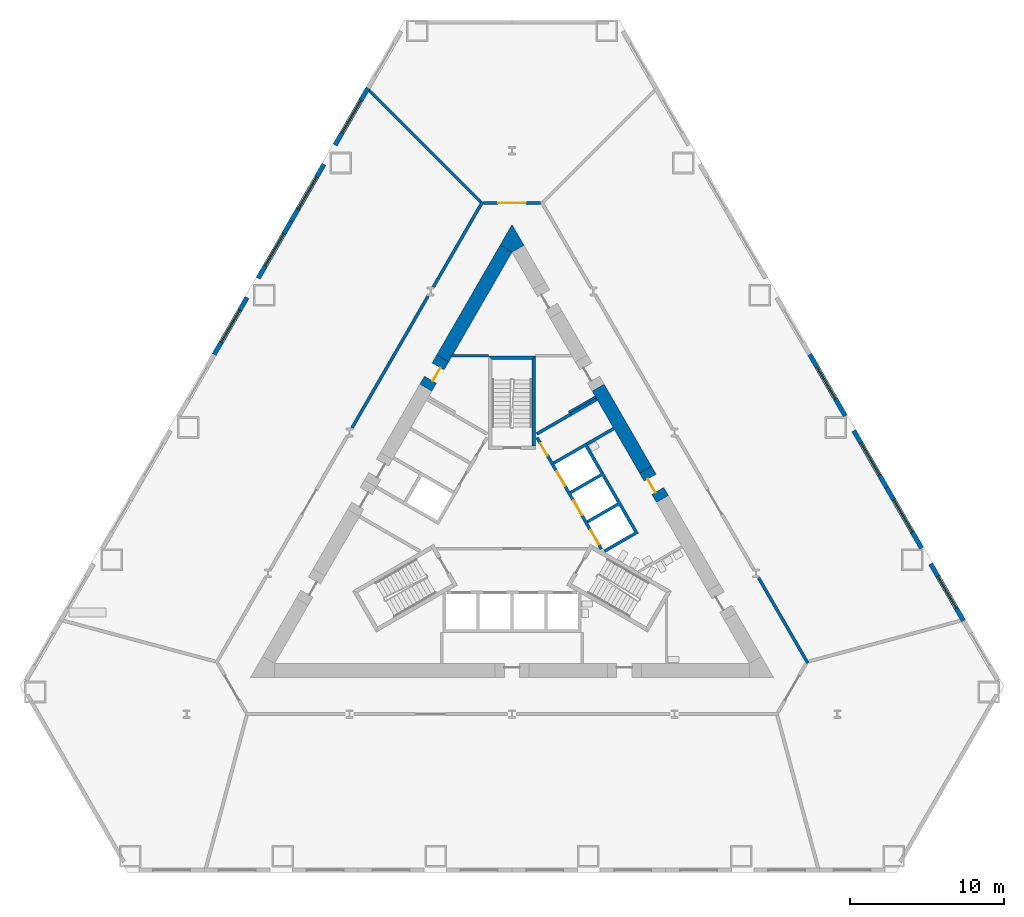
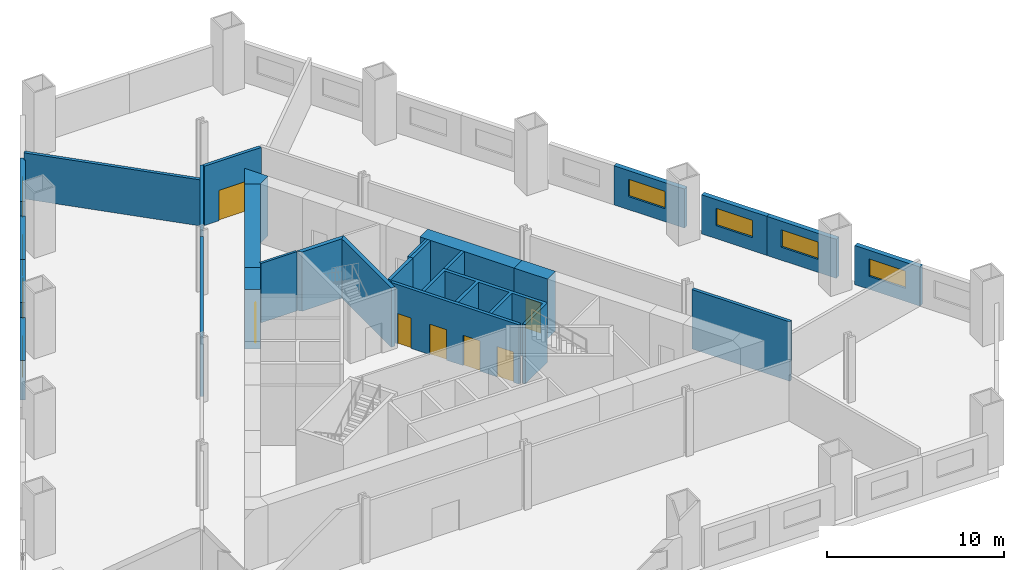
# One storey, part 4 of 8: 27 walls, 8 windows, 7 doors, 15 openings.
"""IFC4 building model written with IfcOpenShell, lengths in metres."""

from ifc_helpers import new_model, si_unit, direction, frame, frame_2d, origin, place, context, subcontext, project, spatial, polyline, rectangle, outline, extrude, material, layer, layer_set, type_object, element, fill, save


model = new_model("IFC4")

# Units and contexts
model_context = context("Model", 3, precision=1e-05, world=origin(), true_north=direction((0.0, 1.0)))
body_context = subcontext(model_context, "Body", "Model", "MODEL_VIEW")
ifc_project = project(units=[si_unit("LENGTHUNIT", "METRE"), si_unit("AREAUNIT", "SQUARE_METRE"), si_unit("VOLUMEUNIT", "CUBIC_METRE"), si_unit("PLANEANGLEUNIT", "RADIAN"), si_unit("MASSUNIT", "GRAM", prefix="KILO")], contexts=[model_context])

# Site, building, storey
site_placement = place(None, origin())
site = spatial("IfcSite", under=ifc_project, at=site_placement, CompositionType="ELEMENT")
building_placement = place(site_placement, origin())
building = spatial("IfcBuilding", under=site, at=building_placement, Name="Cormorant Prow Tower", CompositionType="ELEMENT")
storey_placement = place(building_placement, frame((0.0, 0.0, 25.5)))
storey = spatial("IfcBuildingStorey", under=building, at=storey_placement, Name="L04", CompositionType="ELEMENT", Elevation=25.5)

# Walls
ifc_material_1 = material(Name="Gypsum board partition")
ifc_layer_1 = layer(ifc_material_1, 0.14990234375)
ifc_layer_set_1 = layer_set([ifc_layer_1], Name="Gypsum board partition")
wall_type_1 = type_object("IfcWallType", Name="Core partition 150", PredefinedType="PARTITIONING", material=ifc_layer_set_1)
wall_1_placement = place(storey_placement, frame((3.693359375, 7.4150390625, 0.0), z_axis=(0.0, 0.0, 1.0), x_axis=(0.866035824272, 0.499981950752, 0.0)))
element("IfcWall", 1, at=wall_1_placement, inside=storey, type_object=wall_type_1, Name="Service room partition", PredefinedType="PARTITIONING", context=body_context, shape_type="SweptSolid", body=[
    extrude(rectangle(XDim=2.0087890625, YDim=0.14990234375, at=frame_2d((1.00439453125, 0.0))), origin(), (0.0, 0.0, 1.0), 4.10009765625),
])
wall_2_placement = place(storey_placement, frame((-1.5439453125, 11.0869140625, 0.0), z_axis=(0.0, 0.0, 1.0), x_axis=(-1.0, 0.0, 0.0)))
element("IfcWall", 2, at=wall_2_placement, inside=storey, type_object=wall_type_1, Name="Service room partition", PredefinedType="PARTITIONING", context=body_context, shape_type="SweptSolid", body=[
    extrude(rectangle(XDim=2.349365234375, YDim=0.14990234375, at=frame_2d((1.1748046875, 0.0))), origin(), (0.0, 0.0, 1.0), 4.10009765625),
])
ifc_material_2 = material(Name="Concrete 8000 psi", Category="concrete")
ifc_layer_2 = layer(ifc_material_2, 0.89990234375)
ifc_layer_set_2 = layer_set([ifc_layer_2], Name="Concrete 8000 psi")
wall_type_2 = type_object("IfcWallType", Name="Core shear wall 900", PredefinedType="SHEAR", material=ifc_layer_set_2)
wall_3_placement = place(storey_placement, frame((8.68408203125, 3.6884765625, 0.0), z_axis=(0.0, 0.0, 1.0), x_axis=(-0.499990189338, 0.866031067899, 0.0)))
element("IfcWall", 3, at=wall_3_placement, inside=storey, type_object=wall_type_2, Name="Core wall", PredefinedType="SHEAR", context=body_context, shape_type="SweptSolid", body=[
    extrude(rectangle(XDim=6.15673828125, YDim=0.89990234375, at=frame_2d((3.078369140625, 0.0))), origin(), (0.0, 0.0, 1.0), 4.10009765625),
])
wall_4_placement = place(storey_placement, frame((-0.3896484375, 18.054931640625, 0.0), z_axis=(0.0, 0.0, 1.0), x_axis=(-0.499995435471, -0.8660280391, 0.0)))
element("IfcWall", 4, at=wall_4_placement, inside=storey, type_object=wall_type_2, Name="Core wall", PredefinedType="SHEAR", context=body_context, shape_type="SweptSolid", body=[
    extrude(rectangle(XDim=8.23193359375, YDim=0.89990234375, at=frame_2d((4.115966796875, 0.0))), origin(), (0.0, 0.0, 1.0), 4.10009765625),
])
wall_5_placement = place(storey_placement, origin())
element("IfcWall", 5, at=wall_5_placement, inside=storey, type_object=wall_type_2, Name="Core wall corner", PredefinedType="SHEAR", context=body_context, shape_type="SweptSolid", body=[
    extrude(outline(polyline([(-0.779296875, 18.27978515625), (0.0, 19.6298828125), (0.779296875, 18.27978515625), (0.0, 17.829833984375), (-0.779296875, 18.27978515625)])), origin(), (0.0, 0.0, 1.0), 4.10009765625),
])

# Wall, opening, door
wall_6_placement = place(storey_placement, frame((9.7841796875, 1.783203125, 0.0), z_axis=(0.0, 0.0, 1.0), x_axis=(-0.50002983664, 0.866008176907, 0.0)))
wall_6 = element("IfcWall", 6, at=wall_6_placement, inside=storey, type_object=wall_type_2, Name="Core wall door panel", PredefinedType="SHEAR", context=body_context, shape_type="SweptSolid", body=[
    extrude(rectangle(XDim=2.199951171875, YDim=0.89990234375, at=frame_2d((1.10009765625, 0.0))), origin(), (0.0, 0.0, 1.0), 4.10009765625),
])
opening_1_placement = place(wall_6_placement, frame((0.60009765625, 0.0, 0.0)))
opening_1 = element("IfcOpeningElement", 7, at=opening_1_placement, cuts=wall_6, Name="Opening L04-C19", PredefinedType="OPENING", context=body_context, shape_type="SweptSolid", body=[
    extrude(rectangle(XDim=1.0, YDim=2.10009765625, at=frame_2d((0.5, 1.050048828125))), frame((0.0, 0.4599609375, 0.0), z_axis=(0.0, -1.0, 0.0), x_axis=(1.0, 0.0, 0.0)), (0.0, 0.0, 1.0), 0.919921875),
])
ifc_material_3 = material(Name="Painted steel", Category="steel")
door_type_1 = type_object("IfcDoorType", Name="Service door 1000x2100", OperationType="NOTDEFINED", PredefinedType="DOOR", material=ifc_material_3)
door_1_placement = place(opening_1_placement, origin())
door_1 = element("IfcDoor", 8, at=door_1_placement, inside=storey, type_object=door_type_1, Name="Core door, Toilets (men) L04", OperationType="SINGLE_SWING_RIGHT", OverallHeight=2.10009765625, OverallWidth=1.0, PredefinedType="DOOR", context=body_context, shape_type="SweptSolid", body=[
    extrude(rectangle(XDim=1.0, YDim=2.10009765625, at=frame_2d((0.5, 1.050048828125))), frame((0.0, 0.205078125, 0.0), z_axis=(0.0, -1.0, 0.0), x_axis=(1.0, 0.0, 0.0)), (0.0, 0.0, 1.0), 0.050048828125),
])
fill(opening_1, door_1)

wall_7_placement = place(storey_placement, frame((-4.505859375, 10.92578125, 0.0), z_axis=(0.0, 0.0, 1.0), x_axis=(-0.499946605688, -0.86605622881, 0.0)))
wall_7 = element("IfcWall", 9, at=wall_7_placement, inside=storey, type_object=wall_type_2, Name="Core wall door panel", PredefinedType="SHEAR", context=body_context, shape_type="SweptSolid", body=[
    extrude(rectangle(XDim=2.199951171875, YDim=0.89990234375, at=frame_2d((1.10009765625, 0.0))), origin(), (0.0, 0.0, 1.0), 4.10009765625),
])
opening_2_placement = place(wall_7_placement, frame((0.60009765625, 0.0, 0.0)))
opening_2 = element("IfcOpeningElement", 10, at=opening_2_placement, cuts=wall_7, Name="Opening L04-C23", PredefinedType="OPENING", context=body_context, shape_type="SweptSolid", body=[
    extrude(rectangle(XDim=1.0, YDim=2.10009765625, at=frame_2d((0.5, 1.050048828125))), frame((0.0, 0.4599609375, 0.0), z_axis=(0.0, -1.0, 0.0), x_axis=(1.0, 0.0, 0.0)), (0.0, 0.0, 1.0), 0.919921875),
])
door_2_placement = place(opening_2_placement, origin())
door_2 = element("IfcDoor", 11, at=door_2_placement, inside=storey, type_object=door_type_1, Name="Core door, Mechanical riser room", OperationType="SINGLE_SWING_LEFT", OverallHeight=2.10009765625, OverallWidth=1.0, PredefinedType="DOOR", context=body_context, shape_type="SweptSolid", body=[
    extrude(rectangle(XDim=1.0, YDim=2.10009765625, at=frame_2d((0.5, 1.050048828125))), frame((0.0, 0.205078125, 0.0), z_axis=(0.0, -1.0, 0.0), x_axis=(1.0, 0.0, 0.0)), (0.0, 0.0, 1.0), 0.050048828125),
])
fill(opening_2, door_2)

# Walls
ifc_material_4 = material(Name="Gypsum board corridor wall")
ifc_layer_3 = layer(ifc_material_4, 0.199951171875)
ifc_layer_set_3 = layer_set([ifc_layer_3], Name="Gypsum board corridor wall")
wall_type_3 = type_object("IfcWallType", Name="Corridor wall 200", PredefinedType="PARTITIONING", material=ifc_layer_set_3)
wall_8_placement = place(storey_placement, frame((-10.408203125, 6.402099609375, 0.0), z_axis=(0.0, 0.0, 1.0), x_axis=(0.499985793049, 0.866033606016, 0.0)))
element("IfcWall", 12, at=wall_8_placement, inside=storey, type_object=wall_type_3, Name="Corridor wall", PredefinedType="PARTITIONING", context=body_context, shape_type="SweptSolid", body=[
    extrude(rectangle(XDim=9.897705078125, YDim=0.199951171875, at=frame_2d((4.94873046875, 0.0))), origin(), (0.0, 0.0, 1.0), 4.10009765625),
])
wall_9_placement = place(storey_placement, frame((-5.119140625, 15.5634765625, 0.0), z_axis=(0.0, 0.0, 1.0), x_axis=(0.500004801114, 0.866022631842, 0.0)))
element("IfcWall", 13, at=wall_9_placement, inside=storey, type_object=wall_type_3, Name="Corridor wall", PredefinedType="PARTITIONING", context=body_context, shape_type="SweptSolid", body=[
    extrude(rectangle(XDim=6.412109375, YDim=0.199951171875, at=frame_2d((3.2060546875, 0.0))), origin(), (0.0, 0.0, 1.0), 4.10009765625),
])
wall_10_placement = place(storey_placement, frame((16.037841796875, -3.348388671875, 0.0), z_axis=(0.0, 0.0, 1.0), x_axis=(0.499988314375, -0.866032150378, 0.0)))
element("IfcWall", 14, at=wall_10_placement, inside=storey, type_object=wall_type_3, Name="Corridor wall", PredefinedType="PARTITIONING", context=body_context, shape_type="SweptSolid", body=[
    extrude(rectangle(XDim=6.412353515625, YDim=0.199951171875, at=frame_2d((3.2060546875, 0.0))), origin(), (0.0, 0.0, 1.0), 4.10009765625),
])

# Wall, opening, door
wall_11_placement = place(storey_placement, frame((-1.863037109375, 21.02978515625, 0.0), z_axis=(0.0, 0.0, 1.0), x_axis=(1.0, 0.0, 0.0)))
wall_11 = element("IfcWall", 15, at=wall_11_placement, inside=storey, type_object=wall_type_3, Name="Corridor wall", PredefinedType="PARTITIONING", context=body_context, shape_type="SweptSolid", body=[
    extrude(rectangle(XDim=3.72607421875, YDim=0.199951171875, at=frame_2d((1.863037109375, 0.0))), origin(), (0.0, 0.0, 1.0), 4.10009765625),
])
opening_3_placement = place(wall_11_placement, frame((0.962890625, 0.0, 0.0)))
opening_3 = element("IfcOpeningElement", 16, at=opening_3_placement, cuts=wall_11, Name="Opening L04-F06", PredefinedType="OPENING", context=body_context, shape_type="SweptSolid", body=[
    extrude(rectangle(XDim=1.800048828125, YDim=2.10009765625, at=frame_2d((0.89990234375, 1.050048828125))), frame((0.0, 0.10986328125, 0.0), z_axis=(0.0, -1.0, 0.0), x_axis=(1.0, 0.0, 0.0)), (0.0, 0.0, 1.0), 0.219970703125),
])
ifc_material_5 = material(Name="Timber door leaf", Category="wood")
door_type_2 = type_object("IfcDoorType", Name="Double door 1800x2100", OperationType="DOUBLE_DOOR_SINGLE_SWING", PredefinedType="DOOR", material=ifc_material_5)
door_3_placement = place(opening_3_placement, origin())
door_3 = element("IfcDoor", 17, at=door_3_placement, inside=storey, type_object=door_type_2, Name="Club lounge door", OperationType="DOUBLE_DOOR_SINGLE_SWING", OverallHeight=2.10009765625, OverallWidth=1.800048828125, PredefinedType="DOOR", context=body_context, shape_type="SweptSolid", body=[
    extrude(rectangle(XDim=1.800048828125, YDim=2.10009765625, at=frame_2d((0.89990234375, 1.050048828125))), frame((0.0, 0.02490234375, 0.0), z_axis=(0.0, -1.0, 0.0), x_axis=(1.0, 0.0, 0.0)), (0.0, 0.0, 1.0), 0.050048828125),
])
fill(opening_3, door_3)

# Wall
ifc_material_6 = material(Name="Gypsum board demising wall")
ifc_layer_4 = layer(ifc_material_6, 0.199951171875)
ifc_layer_set_4 = layer_set([ifc_layer_4], Name="Gypsum board demising wall")
wall_type_4 = type_object("IfcWallType", Name="Demising wall 200", PredefinedType="PARTITIONING", material=ifc_layer_set_4)
wall_12_placement = place(storey_placement, frame((-9.329833984375, 28.390625, 0.0), z_axis=(0.0, 0.0, 1.0), x_axis=(0.707402604593, -0.706810833968, 0.0)))
element("IfcWall", 18, at=wall_12_placement, inside=storey, type_object=wall_type_4, Name="Demising wall", PredefinedType="PARTITIONING", context=body_context, shape_type="SweptSolid", body=[
    extrude(rectangle(XDim=10.31396484375, YDim=0.199951171875, at=frame_2d((5.156982421875, 0.0))), origin(), (0.0, 0.0, 1.0), 3.185302734375),
])

# Wall, openings, doors
ifc_material_7 = material(Name="Concrete 5000 psi", Category="concrete")
ifc_layer_5 = layer(ifc_material_7, 0.199951171875)
ifc_layer_set_5 = layer_set([ifc_layer_5], Name="Concrete 5000 psi")
wall_type_5 = type_object("IfcWallType", Name="Lift lobby wall 200", PredefinedType="SOLIDWALL", material=ifc_layer_set_5)
wall_13_placement = place(storey_placement, frame((5.817138671875, -1.4755859375, 0.0), z_axis=(0.0, 0.0, 1.0), x_axis=(-0.500002616675, 0.866023893041, 0.0)))
wall_13 = element("IfcWall", 19, at=wall_13_placement, inside=storey, type_object=wall_type_5, Name="Lift lobby wall, ENE block", PredefinedType="SOLIDWALL", context=body_context, shape_type="SweptSolid", body=[
    extrude(rectangle(XDim=8.373046875, YDim=0.199951171875, at=frame_2d((4.1865234375, 0.0))), origin(), (0.0, 0.0, 1.0), 4.10009765625),
])
opening_4_placement = place(wall_13_placement, frame((0.336669921875, 0.0, 0.0)))
opening_4 = element("IfcOpeningElement", 20, at=opening_4_placement, cuts=wall_13, Name="Opening L04-C05", PredefinedType="OPENING", context=body_context, shape_type="SweptSolid", body=[
    extrude(rectangle(XDim=1.10009765625, YDim=2.10009765625, at=frame_2d((0.550048828125, 1.050048828125))), frame((0.0, 0.10986328125, 0.0), z_axis=(0.0, -1.0, 0.0), x_axis=(1.0, 0.0, 0.0)), (0.0, 0.0, 1.0), 0.219970703125),
])
opening_5_placement = place(wall_13_placement, frame((2.53662109375, 0.0, 0.0)))
opening_5 = element("IfcOpeningElement", 21, at=opening_5_placement, cuts=wall_13, Name="Opening L04-C06", PredefinedType="OPENING", context=body_context, shape_type="SweptSolid", body=[
    extrude(rectangle(XDim=1.10009765625, YDim=2.10009765625, at=frame_2d((0.550048828125, 1.050048828125))), frame((0.0, 0.10986328125, 0.0), z_axis=(0.0, -1.0, 0.0), x_axis=(1.0, 0.0, 0.0)), (0.0, 0.0, 1.0), 0.219970703125),
])
opening_6_placement = place(wall_13_placement, frame((4.736572265625, 0.0, 0.0)))
opening_6 = element("IfcOpeningElement", 22, at=opening_6_placement, cuts=wall_13, Name="Opening L04-C07", PredefinedType="OPENING", context=body_context, shape_type="SweptSolid", body=[
    extrude(rectangle(XDim=1.10009765625, YDim=2.10009765625, at=frame_2d((0.550048828125, 1.050048828125))), frame((0.0, 0.10986328125, 0.0), z_axis=(0.0, -1.0, 0.0), x_axis=(1.0, 0.0, 0.0)), (0.0, 0.0, 1.0), 0.219970703125),
])
opening_7_placement = place(wall_13_placement, frame((7.03662109375, 0.0, 0.0)))
opening_7 = element("IfcOpeningElement", 23, at=opening_7_placement, cuts=wall_13, Name="Opening L04-C08", PredefinedType="OPENING", context=body_context, shape_type="SweptSolid", body=[
    extrude(rectangle(XDim=0.89990234375, YDim=2.10009765625, at=frame_2d((0.449951171875, 1.050048828125))), frame((0.0, 0.10986328125, 0.0), z_axis=(0.0, -1.0, 0.0), x_axis=(1.0, 0.0, 0.0)), (0.0, 0.0, 1.0), 0.219970703125),
])
ifc_material_8 = material(Name="Painted steel", Category="steel")
door_type_3 = type_object("IfcDoorType", Name="Lift landing door 1100x2100", OperationType="SLIDING_TO_LEFT", PredefinedType="DOOR", material=ifc_material_8)
door_4_placement = place(opening_4_placement, origin())
door_4 = element("IfcDoor", 24, at=door_4_placement, inside=storey, type_object=door_type_3, Name="Landing door LR2", OperationType="SLIDING_TO_LEFT", OverallHeight=2.10009765625, OverallWidth=1.10009765625, PredefinedType="DOOR", context=body_context, shape_type="SweptSolid", body=[
    extrude(rectangle(XDim=1.10009765625, YDim=2.10009765625, at=frame_2d((0.550048828125, 1.050048828125))), frame((0.0, 0.02490234375, 0.0), z_axis=(0.0, -1.0, 0.0), x_axis=(1.0, 0.0, 0.0)), (0.0, 0.0, 1.0), 0.050048828125),
])
fill(opening_4, door_4)
door_5_placement = place(opening_5_placement, origin())
door_5 = element("IfcDoor", 25, at=door_5_placement, inside=storey, type_object=door_type_3, Name="Landing door LR3", OperationType="SLIDING_TO_LEFT", OverallHeight=2.10009765625, OverallWidth=1.10009765625, PredefinedType="DOOR", context=body_context, shape_type="SweptSolid", body=[
    extrude(rectangle(XDim=1.10009765625, YDim=2.10009765625, at=frame_2d((0.550048828125, 1.050048828125))), frame((0.0, 0.02490234375, 0.0), z_axis=(0.0, -1.0, 0.0), x_axis=(1.0, 0.0, 0.0)), (0.0, 0.0, 1.0), 0.050048828125),
])
fill(opening_5, door_5)
door_6_placement = place(opening_6_placement, origin())
door_6 = element("IfcDoor", 26, at=door_6_placement, inside=storey, type_object=door_type_3, Name="Landing door LR4", OperationType="SLIDING_TO_LEFT", OverallHeight=2.10009765625, OverallWidth=1.10009765625, PredefinedType="DOOR", context=body_context, shape_type="SweptSolid", body=[
    extrude(rectangle(XDim=1.10009765625, YDim=2.10009765625, at=frame_2d((0.550048828125, 1.050048828125))), frame((0.0, 0.02490234375, 0.0), z_axis=(0.0, -1.0, 0.0), x_axis=(1.0, 0.0, 0.0)), (0.0, 0.0, 1.0), 0.050048828125),
])
fill(opening_6, door_6)
ifc_material_9 = material(Name="Painted steel", Category="steel")
door_type_4 = type_object("IfcDoorType", Name="Service door 900x2100", OperationType="NOTDEFINED", PredefinedType="DOOR", material=ifc_material_9)
door_7_placement = place(opening_7_placement, origin())
door_7 = element("IfcDoor", 27, at=door_7_placement, inside=storey, type_object=door_type_4, Name="Service door, Electrical room", OperationType="SINGLE_SWING_RIGHT", OverallHeight=2.10009765625, OverallWidth=0.89990234375, PredefinedType="DOOR", context=body_context, shape_type="SweptSolid", body=[
    extrude(rectangle(XDim=0.89990234375, YDim=2.10009765625, at=frame_2d((0.449951171875, 1.050048828125))), frame((0.0, 0.02490234375, 0.0), z_axis=(0.0, -1.0, 0.0), x_axis=(1.0, 0.0, 0.0)), (0.0, 0.0, 1.0), 0.050048828125),
])
fill(opening_7, door_7)

# Walls
ifc_material_10 = material(Name="Concrete 8000 psi", Category="concrete")
ifc_layer_6 = layer(ifc_material_10, 0.199951171875)
ifc_layer_set_6 = layer_set([ifc_layer_6], Name="Concrete 8000 psi")
wall_type_6 = type_object("IfcWallType", Name="Lift shaft wall 200", PredefinedType="SHEAR", material=ifc_layer_set_6)
wall_14_placement = place(storey_placement, origin())
element("IfcWall", 28, at=wall_14_placement, inside=storey, type_object=wall_type_6, Name="Lift shaft walls, ENE block", PredefinedType="SHEAR", context=body_context, shape_type="SweptSolid", body=[
    extrude(outline(polyline([(1.560546875, 6.09716796875), (3.730712890625, 7.35009765625), (3.830810546875, 7.177001953125), (1.660400390625, 5.923828125), (1.560546875, 6.09716796875)])), origin(), (0.0, 0.0, 1.0), 4.10009765625),
])
wall_15_placement = place(storey_placement, origin())
element("IfcWall", 29, at=wall_15_placement, inside=storey, type_object=wall_type_6, Name="Lift shaft walls, ENE block", PredefinedType="SHEAR", context=body_context, shape_type="SweptSolid", body=[
    extrude(outline(polyline([(2.660400390625, 4.19189453125), (4.830810546875, 5.44482421875), (8.230712890625, -0.444091796875), (6.060546875, -1.697021484375), (5.96044921875, -1.52392578125), (7.952392578125, -0.373779296875), (6.952392578125, 1.358154296875), (4.96044921875, 0.2080078125), (4.860595703125, 0.38134765625), (6.852294921875, 1.53125), (5.852294921875, 3.263427734375), (3.860595703125, 2.11328125), (3.760498046875, 2.28662109375), (5.75244140625, 3.4365234375), (4.75244140625, 5.168701171875), (2.760498046875, 4.018798828125), (2.660400390625, 4.19189453125)])), origin(), (0.0, 0.0, 1.0), 4.10009765625),
])
wall_16_placement = place(storey_placement, frame((4.880859375, 5.3583984375, 0.0), z_axis=(0.0, 0.0, 1.0), x_axis=(0.866035824272, 0.499981950752, 0.0)))
element("IfcWall", 30, at=wall_16_placement, inside=storey, type_object=wall_type_6, Name="Store side wall", PredefinedType="SHEAR", context=body_context, shape_type="SweptSolid", body=[
    extrude(rectangle(XDim=2.0087890625, YDim=0.199951171875, at=frame_2d((1.00439453125, 0.0))), origin(), (0.0, 0.0, 1.0), 4.10009765625),
])
wall_17_placement = place(storey_placement, frame((3.78076171875, 7.263427734375, 0.0), z_axis=(0.0, 0.0, 1.0), x_axis=(0.865983199114, 0.50007309351, 0.0)))
element("IfcWall", 31, at=wall_17_placement, inside=storey, type_object=wall_type_6, Name="Store side wall", PredefinedType="SHEAR", context=body_context, shape_type="SweptSolid", body=[
    extrude(rectangle(XDim=2.009033203125, YDim=0.199951171875, at=frame_2d((1.00439453125, 0.0))), origin(), (0.0, 0.0, 1.0), 4.10009765625),
])
ifc_material_11 = material(Name="Concrete 8000 psi", Category="concrete")
ifc_layer_7 = layer(ifc_material_11, 0.25)
ifc_layer_set_7 = layer_set([ifc_layer_7], Name="Concrete 8000 psi")
wall_type_7 = type_object("IfcWallType", Name="Stair wall 250", PredefinedType="SHEAR", material=ifc_layer_set_7)
wall_18_placement = place(storey_placement, origin())
element("IfcWall", 32, at=wall_18_placement, inside=storey, type_object=wall_type_7, Name="Stair ST3 enclosure wall (flank)", PredefinedType="SHEAR", context=body_context, shape_type="SweptSolid", body=[
    extrude(outline(polyline([(1.5439453125, 5.23681640625), (1.5439453125, 11.0869140625), (1.2939453125, 10.8369140625), (1.2939453125, 5.23681640625), (1.5439453125, 5.23681640625)])), origin(), (0.0, 0.0, 1.0), 4.10009765625),
])
wall_19_placement = place(storey_placement, origin())
element("IfcWall", 33, at=wall_19_placement, inside=storey, type_object=wall_type_7, Name="Stair ST3 enclosure wall (end)", PredefinedType="SHEAR", context=body_context, shape_type="SweptSolid", body=[
    extrude(outline(polyline([(1.5439453125, 11.0869140625), (-1.5439453125, 11.0869140625), (-1.2939453125, 10.8369140625), (1.2939453125, 10.8369140625), (1.5439453125, 11.0869140625)])), origin(), (0.0, 0.0, 1.0), 4.10009765625),
])

# Wall, opening, window
ifc_material_12 = material(Name="Terracotta", Category="masonry")
ifc_layer_8 = layer(ifc_material_12, 0.300048828125)
ifc_layer_set_8 = layer_set([ifc_layer_8], Name="Terracotta")
wall_type_8 = type_object("IfcWallType", Name="Terracotta podium cladding wall 300", PredefinedType="SOLIDWALL", material=ifc_layer_set_8)
wall_20_placement = place(storey_placement, frame((29.3701171875, -6.13720703125, 0.0), z_axis=(0.0, 0.0, 1.0), x_axis=(-0.499994660107, 0.866028486751, 0.0)))
wall_20 = element("IfcWall", 34, at=wall_20_placement, inside=storey, type_object=wall_type_8, Name="Terracotta podium wall ENE01", PredefinedType="SOLIDWALL", context=body_context, shape_type="SweptSolid", body=[
    extrude(rectangle(XDim=4.27001953125, YDim=0.300048828125, at=frame_2d((2.135009765625, 0.0))), origin(), (0.0, 0.0, 1.0), 2.699951171875),
])
opening_8_placement = place(wall_20_placement, frame((0.93505859375, 0.0, 0.89990234375)))
opening_8 = element("IfcOpeningElement", 35, at=opening_8_placement, cuts=wall_20, Name="Opening WN23", PredefinedType="OPENING", context=body_context, shape_type="SweptSolid", body=[
    extrude(rectangle(XDim=2.39990234375, YDim=1.199951171875, at=frame_2d((1.199951171875, 0.60009765625))), frame((0.0, 0.159912109375, 0.0), z_axis=(0.0, -1.0, 0.0), x_axis=(1.0, 0.0, 0.0)), (0.0, 0.0, 1.0), 0.320068359375),
])
ifc_material_13 = material(Name="Aluminium 6063-T6", Category="aluminium")
window_type = type_object("IfcWindowType", Name="Podium window 2400x1200", PartitioningType="SINGLE_PANEL", PredefinedType="WINDOW", material=ifc_material_13)
window_1_placement = place(opening_8_placement, origin())
window_1 = element("IfcWindow", 36, at=window_1_placement, inside=storey, type_object=window_type, Name="Podium window ENE01", OverallHeight=1.199951171875, OverallWidth=2.39990234375, PartitioningType="SINGLE_PANEL", PredefinedType="WINDOW", context=body_context, shape_type="SweptSolid", body=[
    extrude(rectangle(XDim=2.39990234375, YDim=1.199951171875, at=frame_2d((1.199951171875, 0.60009765625))), frame((0.0, 0.030029296875, 0.0), z_axis=(0.0, -1.0, 0.0), x_axis=(1.0, 0.0, 0.0)), (0.0, 0.0, 1.0), 0.06005859375),
])
fill(opening_8, window_1)

wall_21_placement = place(storey_placement, frame((26.64208984375, -1.412353515625, 0.0), z_axis=(0.0, 0.0, 1.0), x_axis=(-0.499964285679, 0.866046022475, 0.0)))
wall_21 = element("IfcWall", 37, at=wall_21_placement, inside=storey, type_object=wall_type_8, Name="Terracotta podium wall ENE02", PredefinedType="SOLIDWALL", context=body_context, shape_type="SweptSolid", body=[
    extrude(rectangle(XDim=4.544189453125, YDim=0.300048828125, at=frame_2d((2.27197265625, 0.0))), origin(), (0.0, 0.0, 1.0), 2.699951171875),
])
opening_9_placement = place(wall_21_placement, frame((1.209228515625, 0.0, 0.89990234375)))
opening_9 = element("IfcOpeningElement", 38, at=opening_9_placement, cuts=wall_21, Name="Opening WN23", PredefinedType="OPENING", context=body_context, shape_type="SweptSolid", body=[
    extrude(rectangle(XDim=2.39990234375, YDim=1.199951171875, at=frame_2d((1.199951171875, 0.60009765625))), frame((0.0, 0.159912109375, 0.0), z_axis=(0.0, -1.0, 0.0), x_axis=(1.0, 0.0, 0.0)), (0.0, 0.0, 1.0), 0.320068359375),
])
window_2_placement = place(opening_9_placement, origin())
window_2 = element("IfcWindow", 39, at=window_2_placement, inside=storey, type_object=window_type, Name="Podium window ENE02", OverallHeight=1.199951171875, OverallWidth=2.39990234375, PartitioningType="SINGLE_PANEL", PredefinedType="WINDOW", context=body_context, shape_type="SweptSolid", body=[
    extrude(rectangle(XDim=2.39990234375, YDim=1.199951171875, at=frame_2d((1.199951171875, 0.60009765625))), frame((0.0, 0.030029296875, 0.0), z_axis=(0.0, -1.0, 0.0), x_axis=(1.0, 0.0, 0.0)), (0.0, 0.0, 1.0), 0.06005859375),
])
fill(opening_9, window_2)

wall_22_placement = place(storey_placement, frame((24.3701171875, 2.523193359375, 0.0), z_axis=(0.0, 0.0, 1.0), x_axis=(-0.500019418418, 0.866014192265, 0.0)))
wall_22 = element("IfcWall", 40, at=wall_22_placement, inside=storey, type_object=wall_type_8, Name="Terracotta podium wall ENE03", PredefinedType="SOLIDWALL", context=body_context, shape_type="SweptSolid", body=[
    extrude(rectangle(XDim=4.269775390625, YDim=0.300048828125, at=frame_2d((2.134765625, 0.0))), origin(), (0.0, 0.0, 1.0), 2.699951171875),
])
opening_10_placement = place(wall_22_placement, frame((0.93505859375, 0.0, 0.89990234375)))
opening_10 = element("IfcOpeningElement", 41, at=opening_10_placement, cuts=wall_22, Name="Opening WN23", PredefinedType="OPENING", context=body_context, shape_type="SweptSolid", body=[
    extrude(rectangle(XDim=2.39990234375, YDim=1.199951171875, at=frame_2d((1.199951171875, 0.60009765625))), frame((0.0, 0.159912109375, 0.0), z_axis=(0.0, -1.0, 0.0), x_axis=(1.0, 0.0, 0.0)), (0.0, 0.0, 1.0), 0.320068359375),
])
window_3_placement = place(opening_10_placement, origin())
window_3 = element("IfcWindow", 42, at=window_3_placement, inside=storey, type_object=window_type, Name="Podium window ENE03", OverallHeight=1.199951171875, OverallWidth=2.39990234375, PartitioningType="SINGLE_PANEL", PredefinedType="WINDOW", context=body_context, shape_type="SweptSolid", body=[
    extrude(rectangle(XDim=2.39990234375, YDim=1.199951171875, at=frame_2d((1.199951171875, 0.60009765625))), frame((0.0, 0.030029296875, 0.0), z_axis=(0.0, -1.0, 0.0), x_axis=(1.0, 0.0, 0.0)), (0.0, 0.0, 1.0), 0.06005859375),
])
fill(opening_10, window_3)

wall_23_placement = place(storey_placement, frame((21.676025390625, 7.189208984375, 0.0), z_axis=(0.0, 0.0, 1.0), x_axis=(-0.499982117899, 0.866035727774, 0.0)))
wall_23 = element("IfcWall", 43, at=wall_23_placement, inside=storey, type_object=wall_type_8, Name="Terracotta podium wall ENE04", PredefinedType="SOLIDWALL", context=body_context, shape_type="SweptSolid", body=[
    extrude(rectangle(XDim=4.612060546875, YDim=0.300048828125, at=frame_2d((2.30615234375, 0.0))), origin(), (0.0, 0.0, 1.0), 2.699951171875),
])
opening_11_placement = place(wall_23_placement, frame((1.277099609375, 0.0, 0.89990234375)))
opening_11 = element("IfcOpeningElement", 44, at=opening_11_placement, cuts=wall_23, Name="Opening WN23", PredefinedType="OPENING", context=body_context, shape_type="SweptSolid", body=[
    extrude(rectangle(XDim=2.39990234375, YDim=1.199951171875, at=frame_2d((1.199951171875, 0.60009765625))), frame((0.0, 0.159912109375, 0.0), z_axis=(0.0, -1.0, 0.0), x_axis=(1.0, 0.0, 0.0)), (0.0, 0.0, 1.0), 0.320068359375),
])
window_4_placement = place(opening_11_placement, origin())
window_4 = element("IfcWindow", 45, at=window_4_placement, inside=storey, type_object=window_type, Name="Podium window ENE04", OverallHeight=1.199951171875, OverallWidth=2.39990234375, PartitioningType="SINGLE_PANEL", PredefinedType="WINDOW", context=body_context, shape_type="SweptSolid", body=[
    extrude(rectangle(XDim=2.39990234375, YDim=1.199951171875, at=frame_2d((1.199951171875, 0.60009765625))), frame((0.0, 0.030029296875, 0.0), z_axis=(0.0, -1.0, 0.0), x_axis=(1.0, 0.0, 0.0)), (0.0, 0.0, 1.0), 0.06005859375),
])
fill(opening_11, window_4)

wall_24_placement = place(storey_placement, frame((-9.3701171875, 28.50390625, 0.0), z_axis=(0.0, 0.0, 1.0), x_axis=(-0.499994660107, -0.866028486751, 0.0)))
wall_24 = element("IfcWall", 46, at=wall_24_placement, inside=storey, type_object=wall_type_8, Name="Terracotta podium wall WNW01", PredefinedType="SOLIDWALL", context=body_context, shape_type="SweptSolid", body=[
    extrude(rectangle(XDim=4.27001953125, YDim=0.300048828125, at=frame_2d((2.135009765625, 0.0))), origin(), (0.0, 0.0, 1.0), 2.699951171875),
])
opening_12_placement = place(wall_24_placement, frame((0.93505859375, 0.0, 0.89990234375)))
opening_12 = element("IfcOpeningElement", 47, at=opening_12_placement, cuts=wall_24, Name="Opening WN23", PredefinedType="OPENING", context=body_context, shape_type="SweptSolid", body=[
    extrude(rectangle(XDim=2.39990234375, YDim=1.199951171875, at=frame_2d((1.199951171875, 0.60009765625))), frame((0.0, 0.159912109375, 0.0), z_axis=(0.0, -1.0, 0.0), x_axis=(1.0, 0.0, 0.0)), (0.0, 0.0, 1.0), 0.320068359375),
])
window_5_placement = place(opening_12_placement, origin())
window_5 = element("IfcWindow", 48, at=window_5_placement, inside=storey, type_object=window_type, Name="Podium window WNW01", OverallHeight=1.199951171875, OverallWidth=2.39990234375, PartitioningType="SINGLE_PANEL", PredefinedType="WINDOW", context=body_context, shape_type="SweptSolid", body=[
    extrude(rectangle(XDim=2.39990234375, YDim=1.199951171875, at=frame_2d((1.199951171875, 0.60009765625))), frame((0.0, 0.030029296875, 0.0), z_axis=(0.0, -1.0, 0.0), x_axis=(1.0, 0.0, 0.0)), (0.0, 0.0, 1.0), 0.06005859375),
])
fill(opening_12, window_5)

wall_25_placement = place(storey_placement, frame((-12.235107421875, 23.54150390625, 0.0), z_axis=(0.0, 0.0, 1.0), x_axis=(-0.499994660107, -0.866028486751, 0.0)))
wall_25 = element("IfcWall", 49, at=wall_25_placement, inside=storey, type_object=wall_type_8, Name="Terracotta podium wall WNW02", PredefinedType="SOLIDWALL", context=body_context, shape_type="SweptSolid", body=[
    extrude(rectangle(XDim=4.27001953125, YDim=0.300048828125, at=frame_2d((2.135009765625, 0.0))), origin(), (0.0, 0.0, 1.0), 2.699951171875),
])
opening_13_placement = place(wall_25_placement, frame((0.93505859375, 0.0, 0.89990234375)))
opening_13 = element("IfcOpeningElement", 50, at=opening_13_placement, cuts=wall_25, Name="Opening WN23", PredefinedType="OPENING", context=body_context, shape_type="SweptSolid", body=[
    extrude(rectangle(XDim=2.39990234375, YDim=1.199951171875, at=frame_2d((1.199951171875, 0.60009765625))), frame((0.0, 0.159912109375, 0.0), z_axis=(0.0, -1.0, 0.0), x_axis=(1.0, 0.0, 0.0)), (0.0, 0.0, 1.0), 0.320068359375),
])
window_6_placement = place(opening_13_placement, origin())
window_6 = element("IfcWindow", 51, at=window_6_placement, inside=storey, type_object=window_type, Name="Podium window WNW02", OverallHeight=1.199951171875, OverallWidth=2.39990234375, PartitioningType="SINGLE_PANEL", PredefinedType="WINDOW", context=body_context, shape_type="SweptSolid", body=[
    extrude(rectangle(XDim=2.39990234375, YDim=1.199951171875, at=frame_2d((1.199951171875, 0.60009765625))), frame((0.0, 0.030029296875, 0.0), z_axis=(0.0, -1.0, 0.0), x_axis=(1.0, 0.0, 0.0)), (0.0, 0.0, 1.0), 0.06005859375),
])
fill(opening_13, window_6)

wall_26_placement = place(storey_placement, frame((-14.3701171875, 19.843505859375, 0.0), z_axis=(0.0, 0.0, 1.0), x_axis=(-0.500019418418, -0.866014192265, 0.0)))
wall_26 = element("IfcWall", 52, at=wall_26_placement, inside=storey, type_object=wall_type_8, Name="Terracotta podium wall WNW03", PredefinedType="SOLIDWALL", context=body_context, shape_type="SweptSolid", body=[
    extrude(rectangle(XDim=4.269775390625, YDim=0.300048828125, at=frame_2d((2.134765625, 0.0))), origin(), (0.0, 0.0, 1.0), 2.699951171875),
])
opening_14_placement = place(wall_26_placement, frame((0.93505859375, 0.0, 0.89990234375)))
opening_14 = element("IfcOpeningElement", 53, at=opening_14_placement, cuts=wall_26, Name="Opening WN23", PredefinedType="OPENING", context=body_context, shape_type="SweptSolid", body=[
    extrude(rectangle(XDim=2.39990234375, YDim=1.199951171875, at=frame_2d((1.199951171875, 0.60009765625))), frame((0.0, 0.159912109375, 0.0), z_axis=(0.0, -1.0, 0.0), x_axis=(1.0, 0.0, 0.0)), (0.0, 0.0, 1.0), 0.320068359375),
])
window_7_placement = place(opening_14_placement, origin())
window_7 = element("IfcWindow", 54, at=window_7_placement, inside=storey, type_object=window_type, Name="Podium window WNW03", OverallHeight=1.199951171875, OverallWidth=2.39990234375, PartitioningType="SINGLE_PANEL", PredefinedType="WINDOW", context=body_context, shape_type="SweptSolid", body=[
    extrude(rectangle(XDim=2.39990234375, YDim=1.199951171875, at=frame_2d((1.199951171875, 0.60009765625))), frame((0.0, 0.030029296875, 0.0), z_axis=(0.0, -1.0, 0.0), x_axis=(1.0, 0.0, 0.0)), (0.0, 0.0, 1.0), 0.06005859375),
])
fill(opening_14, window_7)

wall_27_placement = place(storey_placement, frame((-17.235107421875, 14.88134765625, 0.0), z_axis=(0.0, 0.0, 1.0), x_axis=(-0.499994660107, -0.866028486751, 0.0)))
wall_27 = element("IfcWall", 55, at=wall_27_placement, inside=storey, type_object=wall_type_8, Name="Terracotta podium wall WNW04", PredefinedType="SOLIDWALL", context=body_context, shape_type="SweptSolid", body=[
    extrude(rectangle(XDim=4.27001953125, YDim=0.300048828125, at=frame_2d((2.135009765625, 0.0))), origin(), (0.0, 0.0, 1.0), 2.699951171875),
])
opening_15_placement = place(wall_27_placement, frame((0.93505859375, 0.0, 0.89990234375)))
opening_15 = element("IfcOpeningElement", 56, at=opening_15_placement, cuts=wall_27, Name="Opening WN23", PredefinedType="OPENING", context=body_context, shape_type="SweptSolid", body=[
    extrude(rectangle(XDim=2.39990234375, YDim=1.199951171875, at=frame_2d((1.199951171875, 0.60009765625))), frame((0.0, 0.159912109375, 0.0), z_axis=(0.0, -1.0, 0.0), x_axis=(1.0, 0.0, 0.0)), (0.0, 0.0, 1.0), 0.320068359375),
])
window_8_placement = place(opening_15_placement, origin())
window_8 = element("IfcWindow", 57, at=window_8_placement, inside=storey, type_object=window_type, Name="Podium window WNW04", OverallHeight=1.199951171875, OverallWidth=2.39990234375, PartitioningType="SINGLE_PANEL", PredefinedType="WINDOW", context=body_context, shape_type="SweptSolid", body=[
    extrude(rectangle(XDim=2.39990234375, YDim=1.199951171875, at=frame_2d((1.199951171875, 0.60009765625))), frame((0.0, 0.030029296875, 0.0), z_axis=(0.0, -1.0, 0.0), x_axis=(1.0, 0.0, 0.0)), (0.0, 0.0, 1.0), 0.06005859375),
])
fill(opening_15, window_8)

save(model, "model.ifc")
